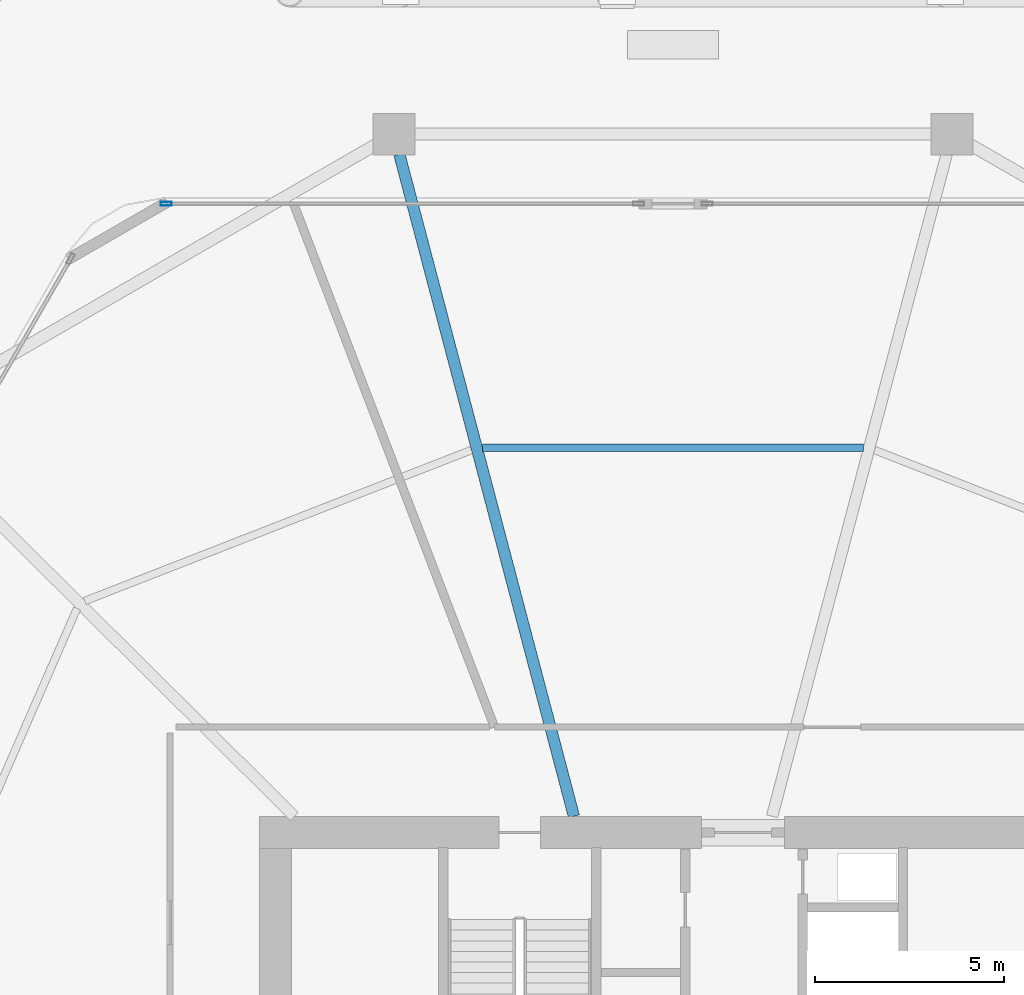
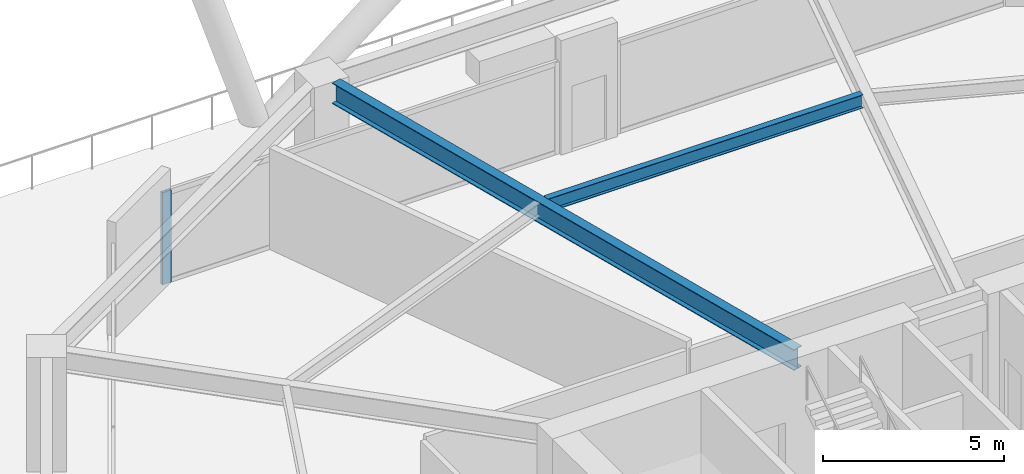
# One storey, part 15 of 28: 2 beams, 1 member, 1 element without a shape of its own.
"""IFC4 building model written with IfcOpenShell, lengths in metres."""

from ifc_helpers import new_model, si_unit, direction, frame, origin, origin_2d, place, context, subcontext, project, spatial, hollow_rectangle, i_section, extrude, material, material_profile, profile_set, type_object, element, aggregate, save


model = new_model("IFC4")

# Units and contexts
model_context = context("Model", 3, precision=1e-05, world=origin(), true_north=direction((0.0, 1.0)))
body_context = subcontext(model_context, "Body", "Model", "MODEL_VIEW")
ifc_project = project(units=[si_unit("LENGTHUNIT", "METRE"), si_unit("AREAUNIT", "SQUARE_METRE"), si_unit("VOLUMEUNIT", "CUBIC_METRE"), si_unit("PLANEANGLEUNIT", "RADIAN"), si_unit("MASSUNIT", "GRAM", prefix="KILO")], contexts=[model_context])

# Site, building, storey
site_placement = place(None, origin())
site = spatial("IfcSite", under=ifc_project, at=site_placement, CompositionType="ELEMENT")
building_placement = place(site_placement, origin())
building = spatial("IfcBuilding", under=site, at=building_placement, Name="Zuhravey Tower", CompositionType="ELEMENT")
storey_placement = place(building_placement, frame((0.0, 0.0, 83.39990234375)))
storey = spatial("IfcBuildingStorey", under=building, at=storey_placement, Name="L20", CompositionType="ELEMENT", Elevation=83.39990234375)

# Curtain wall, member
ifc_material_1 = material(Name="Thermally broken anodised aluminium", Category="aluminium")
curtain_wall_type = type_object("IfcCurtainWallType", Name="Sky-Playground Recessed Curtain Wall CW2", PredefinedType="NOTDEFINED", material=ifc_material_1)
curtain_wall_placement = place(storey_placement, origin())
curtain_wall = element("IfcCurtainWall", 1, at=curtain_wall_placement, inside=storey, type_object=curtain_wall_type, Name="L20 CW2 CW-L20-F2-1", PredefinedType="NOTDEFINED")
ifc_material_2 = material(Name="Anodised aluminium", Category="aluminium")
ifc_material_profile_1 = material_profile(ifc_material_2, hollow_rectangle(XDim=0.10009765625, YDim=0.2900390625, WallThickness=0.006103515625, at=origin_2d()), Name="ALU-RHS-100x290x6")
ifc_profile_set_1 = profile_set([ifc_material_profile_1], Name="Anodised aluminium")
member_type = type_object("IfcMemberType", Name="Heavy Tall-Storey Mullion 100x220", PredefinedType="MULLION", material=ifc_profile_set_1)
member_placement = place(storey_placement, frame((22.607421875, 58.1083984375, 0.0), z_axis=(0.0, 0.0, 1.0), x_axis=(0.0, 1.0, 0.0)))
member = element("IfcMember", 2, at=member_placement, type_object=member_type, Name="CW2 mullion 1", PredefinedType="MULLION", context=body_context, shape_type="SweptSolid", body=[
    extrude(hollow_rectangle(XDim=0.10009765625, YDim=0.2900390625, WallThickness=0.006103515625, at=origin_2d()), origin(), (0.0, 0.0, 1.0), 3.10009765625),
])
aggregate(curtain_wall, [member])

# Beams
ifc_material_3 = material(Name="Steel SM355", Category="steel")
ifc_material_profile_2 = material_profile(ifc_material_3, i_section(OverallWidth=0.300048828125, OverallDepth=0.699951171875, WebThickness=0.012939453125, FlangeThickness=0.02392578125, at=origin_2d()), Name="H-700x300x13x24")
ifc_profile_set_2 = profile_set([ifc_material_profile_2], Name="Steel SM355")
beam_type_1 = type_object("IfcBeamType", Name="Radial Primary Girder H700x300", PredefinedType="BEAM", material=ifc_profile_set_2)
beam_1_placement = place(storey_placement, frame((33.382080078125, 41.927978515625, 3.5), z_axis=(-0.254987019627, 0.96694447608, 0.0), x_axis=(-0.96694447608, -0.254987019627, 0.0)))
element("IfcBeam", 3, at=beam_1_placement, inside=storey, type_object=beam_type_1, Name="L20 RG1 BM-L20-RAD-04", PredefinedType="BEAM", context=body_context, shape_type="SweptSolid", body=[
    extrude(i_section(OverallWidth=0.300048828125, OverallDepth=0.699951171875, WebThickness=0.012939453125, FlangeThickness=0.02392578125, at=origin_2d()), origin(), (0.0, 0.0, 1.0), 18.08349609375),
])
ifc_material_profile_3 = material_profile(ifc_material_3, i_section(OverallWidth=0.199951171875, OverallDepth=0.449951171875, WebThickness=0.009033203125, FlangeThickness=0.013916015625, at=origin_2d()), Name="H-450x200x9x14")
ifc_profile_set_3 = profile_set([ifc_material_profile_3], Name="Steel SM355")
beam_type_2 = type_object("IfcBeamType", Name="Secondary Floor Joist H450x200", PredefinedType="JOIST", material=ifc_profile_set_3)
beam_2_placement = place(storey_placement, frame((41.030029296875, 51.6591796875, 3.625), z_axis=(-1.0, 0.0, 0.0), x_axis=(0.0, -1.0, 0.0)))
element("IfcBeam", 4, at=beam_2_placement, inside=storey, type_object=beam_type_2, Name="L20 SJ1 BM-L20-SJ-03-1", PredefinedType="JOIST", context=body_context, shape_type="SweptSolid", body=[
    extrude(i_section(OverallWidth=0.199951171875, OverallDepth=0.449951171875, WebThickness=0.009033203125, FlangeThickness=0.013916015625, at=origin_2d()), origin(), (0.0, 0.0, 1.0), 10.06005859375),
])

save(model, "model.ifc")
